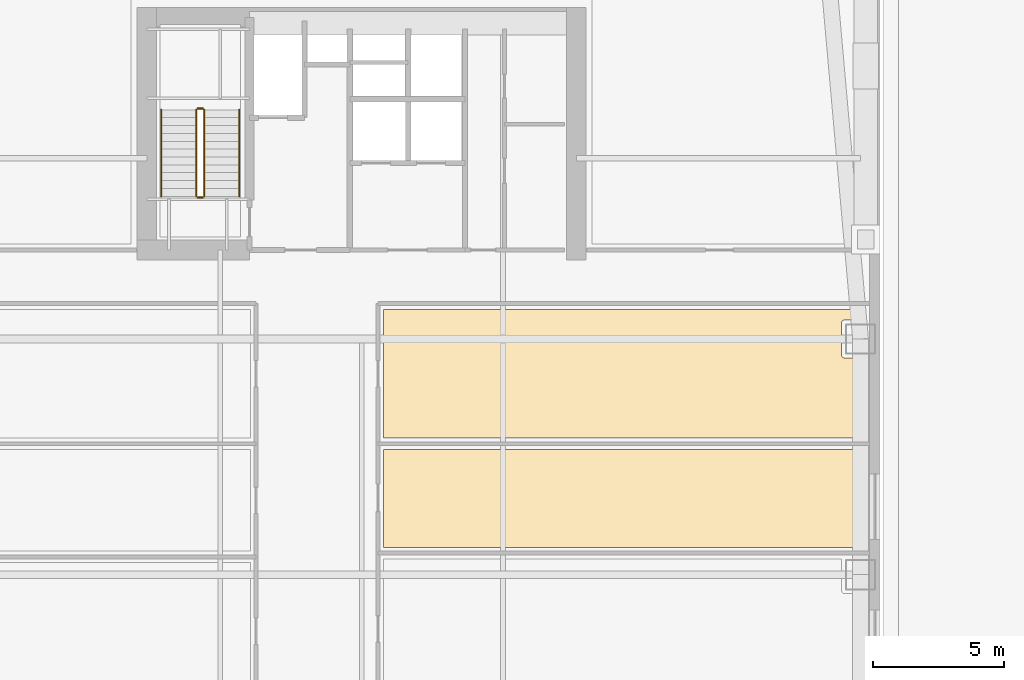
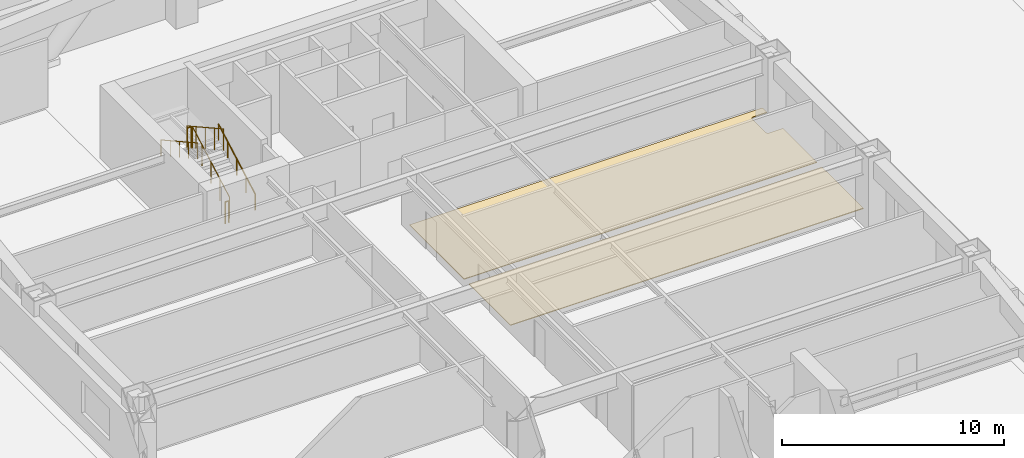
# One storey, part 16 of 20: 6 railings, 2 coverings.
"""IFC4 building model written with IfcOpenShell, lengths in metres."""

from ifc_helpers import new_model, si_unit, direction, frame, origin, origin_2d, place, context, subcontext, project, spatial, polyline, circle, outline, extrude, material, layer, layer_set, type_object, element, save


model = new_model("IFC4")

# Units and contexts
model_context = context("Model", 3, precision=1e-05, world=origin(), true_north=direction((0.0, 1.0)))
body_context = subcontext(model_context, "Body", "Model", "MODEL_VIEW")
ifc_project = project(units=[si_unit("LENGTHUNIT", "METRE"), si_unit("AREAUNIT", "SQUARE_METRE"), si_unit("VOLUMEUNIT", "CUBIC_METRE"), si_unit("PLANEANGLEUNIT", "RADIAN"), si_unit("MASSUNIT", "GRAM", prefix="KILO")], contexts=[model_context])

# Site, building, storey
site_placement = place(None, origin())
site = spatial("IfcSite", under=ifc_project, at=site_placement, CompositionType="ELEMENT")
building_placement = place(site_placement, origin())
building = spatial("IfcBuilding", under=site, at=building_placement, Name="Qiaolan Cultural Towers", CompositionType="ELEMENT")
storey_placement = place(building_placement, frame((0.0, 0.0, 26.0)))
storey = spatial("IfcBuildingStorey", under=building, at=storey_placement, Name="L05", CompositionType="ELEMENT", Elevation=26.0)

# Coverings
ifc_material_1 = material(Name="Honed Terrazzo & Raised Access Flooring", Category="concrete")
ifc_layer = layer(ifc_material_1, 0.0400390625)
ifc_layer_set = layer_set([ifc_layer], Name="Honed Terrazzo & Raised Access Flooring")
covering_type = type_object("IfcCoveringType", Name="COV-FLR-STONE", PredefinedType="FLOORING", material=ifc_layer_set)
covering_1_placement = place(storey_placement, origin())
element("IfcCovering", 1, at=covering_1_placement, inside=storey, type_object=covering_type, Name="L05 Tea Pantry Finish Flooring", PredefinedType="FLOORING", context=body_context, shape_type="SweptSolid", body=[
    extrude(outline(polyline([(49.159912109375, 35.048095703125), (49.159912109375, 38.780029296875), (30.844970703125, 38.780029296875), (30.844970703125, 35.048095703125), (49.159912109375, 35.048095703125)])), origin(), (0.0, 0.0, 1.0), 0.0400390625),
])
covering_2_placement = place(storey_placement, origin())
element("IfcCovering", 2, at=covering_2_placement, inside=storey, type_object=covering_type, Name="L05 Design Office Finish Flooring", PredefinedType="FLOORING", context=body_context, shape_type="SweptSolid", body=[
    extrude(outline(polyline([(49.159912109375, 42.27490234375), (48.445068359375, 42.27490234375), (48.433349609375, 42.275634765625), (48.421630859375, 42.27734375), (48.41015625, 42.2802734375), (48.399169921875, 42.2841796875), (48.388427734375, 42.2890625), (48.37841796875, 42.295166015625), (48.368896484375, 42.30224609375), (48.360107421875, 42.31005859375), (48.352294921875, 42.31884765625), (48.34521484375, 42.328369140625), (48.339111328125, 42.33837890625), (48.334228515625, 42.34912109375), (48.330078125, 42.360107421875), (48.327392578125, 42.37158203125), (48.32568359375, 42.38330078125), (48.324951171875, 42.39501953125), (48.324951171875, 43.60498046875), (48.32568359375, 43.61669921875), (48.327392578125, 43.62841796875), (48.330078125, 43.639892578125), (48.334228515625, 43.65087890625), (48.339111328125, 43.66162109375), (48.34521484375, 43.671630859375), (48.352294921875, 43.68115234375), (48.360107421875, 43.68994140625), (48.368896484375, 43.69775390625), (48.37841796875, 43.704833984375), (48.388427734375, 43.7109375), (48.399169921875, 43.7158203125), (48.41015625, 43.7197265625), (48.421630859375, 43.72265625), (48.433349609375, 43.724365234375), (48.445068359375, 43.72509765625), (49.159912109375, 43.72509765625), (49.159912109375, 44.1298828125), (30.844970703125, 44.1298828125), (30.844970703125, 39.219970703125), (49.159912109375, 39.219970703125), (49.159912109375, 42.27490234375)])), origin(), (0.0, 0.0, 1.0), 0.0400390625),
])

# Railings
ifc_material_2 = material(Name="Galvanized Painted Steel Stair Guardrail", Category="steel")
railing_type_1 = type_object("IfcRailingType", Name="RL-STAIR-GRD", PredefinedType="GUARDRAIL", material=ifc_material_2)
railing_1_placement = place(storey_placement, frame((23.989990234375, 48.449951171875, 0.166748046875)))
element("IfcRailing", 3, at=railing_1_placement, inside=storey, type_object=railing_type_1, Name="L05 ST-W2 stair guard 1", PredefinedType="GUARDRAIL", context=body_context, shape_type="SweptSolid", body=[
    extrude(circle(Radius=0.02392578125, at=origin_2d()), frame((0.0, 0.0, 1.17578125), z_axis=(0.0, 0.874169478083, 0.485620966999), x_axis=(-1.0, 0.0, 0.0)), (0.0, 0.0, 1.0), 3.775146484375),
    extrude(circle(Radius=0.02099609375, at=origin_2d()), origin(), (0.0, 0.0, 1.0), 1.15185546875),
    extrude(circle(Radius=0.02099609375, at=origin_2d()), frame((0.0, 0.824951171875, 0.458251953125)), (0.0, 0.0, 1.0), 1.15185546875),
    extrude(circle(Radius=0.02099609375, at=origin_2d()), frame((0.0, 1.64990234375, 0.91650390625)), (0.0, 0.0, 1.0), 1.15185546875),
    extrude(circle(Radius=0.02099609375, at=origin_2d()), frame((0.0, 2.47509765625, 1.375)), (0.0, 0.0, 1.0), 1.15185546875),
    extrude(circle(Radius=0.02099609375, at=origin_2d()), frame((0.0, 3.300048828125, 1.833251953125)), (0.0, 0.0, 1.0), 1.15185546875),
])
railing_2_placement = place(storey_placement, frame((23.93994140625, 51.800048828125, 2.0)))
element("IfcRailing", 4, at=railing_2_placement, inside=storey, type_object=railing_type_1, Name="L05 ST-W2 stair guard 2", PredefinedType="GUARDRAIL", context=body_context, shape_type="SweptSolid", body=[
    extrude(circle(Radius=0.02392578125, at=origin_2d()), frame((0.0, 0.0, 1.17578125), z_axis=(-1.0, 0.0, 0.0), x_axis=(0.0, -1.0, 0.0)), (0.0, 0.0, 1.0), 0.199951171875),
    extrude(circle(Radius=0.02099609375, at=origin_2d()), origin(), (0.0, 0.0, 1.0), 1.15185546875),
    extrude(circle(Radius=0.02099609375, at=origin_2d()), frame((-0.199951171875, 0.0, 0.0)), (0.0, 0.0, 1.0), 1.15185546875),
])
railing_3_placement = place(storey_placement, frame((23.68994140625, 51.75, 2.166748046875)))
element("IfcRailing", 5, at=railing_3_placement, inside=storey, type_object=railing_type_1, Name="L05 ST-W2 stair guard 3", PredefinedType="GUARDRAIL", context=body_context, shape_type="SweptSolid", body=[
    extrude(circle(Radius=0.02392578125, at=origin_2d()), frame((0.0, 0.0, 1.17578125), z_axis=(0.0, -0.874169478083, 0.485620966999), x_axis=(1.0, 0.0, 0.0)), (0.0, 0.0, 1.0), 3.775146484375),
    extrude(circle(Radius=0.02099609375, at=origin_2d()), origin(), (0.0, 0.0, 1.0), 1.15185546875),
    extrude(circle(Radius=0.02099609375, at=origin_2d()), frame((0.0, -0.824951171875, 0.458251953125)), (0.0, 0.0, 1.0), 1.15185546875),
    extrude(circle(Radius=0.02099609375, at=origin_2d()), frame((0.0, -1.64990234375, 0.91650390625)), (0.0, 0.0, 1.0), 1.15185546875),
    extrude(circle(Radius=0.02099609375, at=origin_2d()), frame((0.0, -2.47509765625, 1.375)), (0.0, 0.0, 1.0), 1.15185546875),
    extrude(circle(Radius=0.02099609375, at=origin_2d()), frame((0.0, -3.300048828125, 1.833251953125)), (0.0, 0.0, 1.0), 1.15185546875),
])
railing_4_placement = place(storey_placement, frame((23.93994140625, 48.39990234375, 0.0)))
element("IfcRailing", 6, at=railing_4_placement, inside=storey, type_object=railing_type_1, Name="L05 ST-W2 stair guard 4", PredefinedType="GUARDRAIL", context=body_context, shape_type="SweptSolid", body=[
    extrude(circle(Radius=0.02392578125, at=origin_2d()), frame((0.0, 0.0, 1.17578125), z_axis=(-1.0, 0.0, 0.0), x_axis=(0.0, -1.0, 0.0)), (0.0, 0.0, 1.0), 0.199951171875),
    extrude(circle(Radius=0.02099609375, at=origin_2d()), origin(), (0.0, 0.0, 1.0), 1.15185546875),
    extrude(circle(Radius=0.02099609375, at=origin_2d()), frame((-0.199951171875, 0.0, 0.0)), (0.0, 0.0, 1.0), 1.15185546875),
])
ifc_material_3 = material(Name="Stainless Steel S30408 Tubular Handrail", Category="steel")
railing_type_2 = type_object("IfcRailingType", Name="RL-STAIR-HR", PredefinedType="HANDRAIL", material=ifc_material_3)
railing_5_placement = place(storey_placement, frame((25.330078125, 48.449951171875, 0.166748046875)))
element("IfcRailing", 7, at=railing_5_placement, inside=storey, type_object=railing_type_2, Name="L05 ST-W2 stair handrail 1", PredefinedType="HANDRAIL", context=body_context, shape_type="SweptSolid", body=[
    extrude(circle(Radius=0.02392578125, at=origin_2d()), frame((0.0, 0.0, 0.8759765625), z_axis=(0.0, 0.874169478083, 0.485620966999), x_axis=(-1.0, 0.0, 0.0)), (0.0, 0.0, 1.0), 3.775146484375),
    extrude(circle(Radius=0.02099609375, at=origin_2d()), origin(), (0.0, 0.0, 1.0), 0.851806640625),
    extrude(circle(Radius=0.02099609375, at=origin_2d()), frame((0.0, 0.824951171875, 0.458251953125)), (0.0, 0.0, 1.0), 0.851806640625),
    extrude(circle(Radius=0.02099609375, at=origin_2d()), frame((0.0, 1.64990234375, 0.91650390625)), (0.0, 0.0, 1.0), 0.851806640625),
    extrude(circle(Radius=0.02099609375, at=origin_2d()), frame((0.0, 2.47509765625, 1.375)), (0.0, 0.0, 1.0), 0.851806640625),
    extrude(circle(Radius=0.02099609375, at=origin_2d()), frame((0.0, 3.300048828125, 1.833251953125)), (0.0, 0.0, 1.0), 0.851806640625),
])
railing_6_placement = place(storey_placement, frame((22.35009765625, 51.75, 2.166748046875)))
element("IfcRailing", 8, at=railing_6_placement, inside=storey, type_object=railing_type_2, Name="L05 ST-W2 stair handrail 2", PredefinedType="HANDRAIL", context=body_context, shape_type="SweptSolid", body=[
    extrude(circle(Radius=0.02392578125, at=origin_2d()), frame((0.0, 0.0, 0.8759765625), z_axis=(0.0, -0.874169478083, 0.485620966999), x_axis=(1.0, 0.0, 0.0)), (0.0, 0.0, 1.0), 3.775146484375),
    extrude(circle(Radius=0.02099609375, at=origin_2d()), origin(), (0.0, 0.0, 1.0), 0.851806640625),
    extrude(circle(Radius=0.02099609375, at=origin_2d()), frame((0.0, -0.824951171875, 0.458251953125)), (0.0, 0.0, 1.0), 0.851806640625),
    extrude(circle(Radius=0.02099609375, at=origin_2d()), frame((0.0, -1.64990234375, 0.91650390625)), (0.0, 0.0, 1.0), 0.851806640625),
    extrude(circle(Radius=0.02099609375, at=origin_2d()), frame((0.0, -2.47509765625, 1.375)), (0.0, 0.0, 1.0), 0.851806640625),
    extrude(circle(Radius=0.02099609375, at=origin_2d()), frame((0.0, -3.300048828125, 1.833251953125)), (0.0, 0.0, 1.0), 0.851806640625),
])

save(model, "model.ifc")
